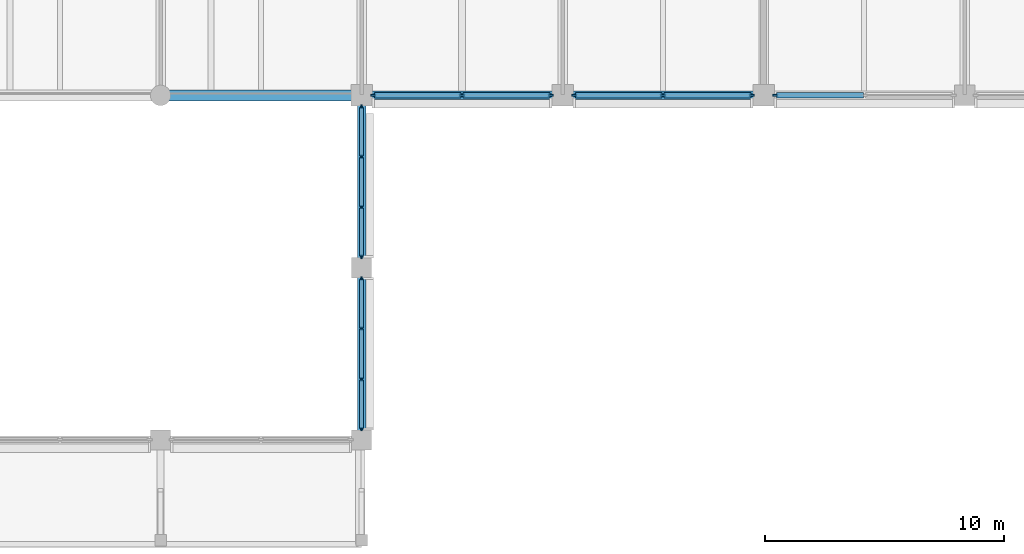
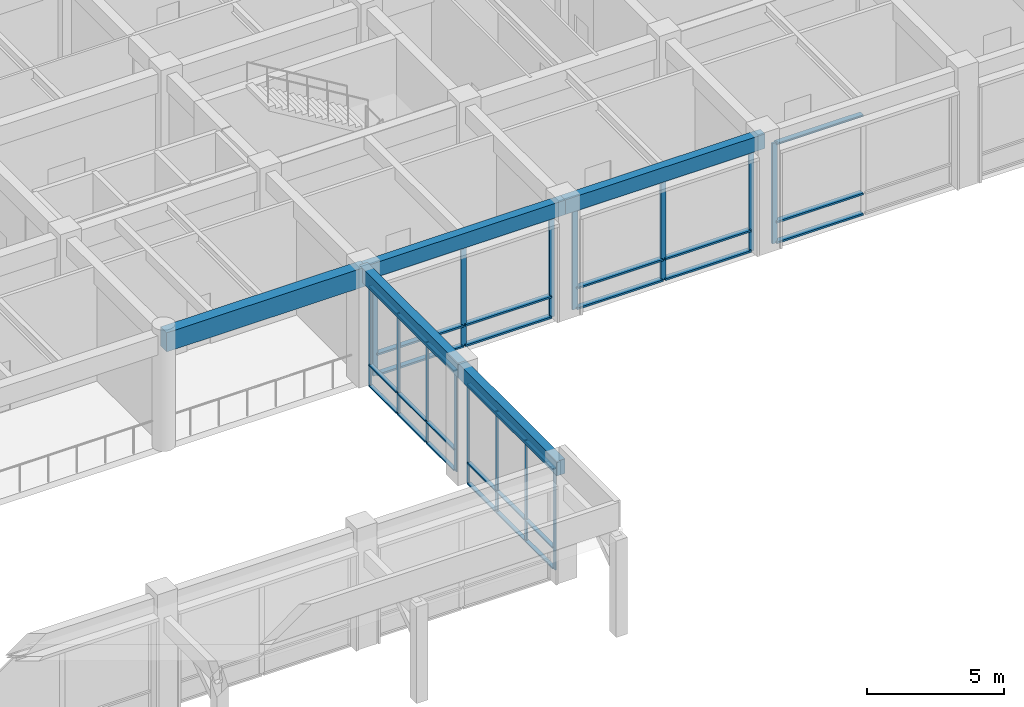
# One storey, part 16 of 68: 48 members, 5 beams, 5 elements without a shape of their own.
"""IFC4 building model written with IfcOpenShell, lengths in metres."""

from ifc_helpers import new_model, si_unit, direction, frame, origin, origin_2d, place, context, subcontext, project, spatial, rectangle, extrude, material, layer, layer_set, material_profile, profile_set, type_object, element, aggregate, save


model = new_model("IFC4")

# Units and contexts
model_context = context("Model", 3, precision=1e-05, world=origin(), true_north=direction((0.0, 1.0)))
body_context = subcontext(model_context, "Body", "Model", "MODEL_VIEW")
ifc_project = project(units=[si_unit("LENGTHUNIT", "METRE"), si_unit("AREAUNIT", "SQUARE_METRE"), si_unit("VOLUMEUNIT", "CUBIC_METRE"), si_unit("PLANEANGLEUNIT", "RADIAN"), si_unit("MASSUNIT", "GRAM", prefix="KILO")], contexts=[model_context])

# Site, building, storey
site_placement = place(None, origin())
site = spatial("IfcSite", under=ifc_project, at=site_placement, CompositionType="ELEMENT")
building_placement = place(site_placement, origin())
building = spatial("IfcBuilding", under=site, at=building_placement, Name="Chengyuan Square Courthouse", CompositionType="ELEMENT")
storey_placement = place(building_placement, frame((0.0, 0.0, 5.39990234375)))
storey = spatial("IfcBuildingStorey", under=building, at=storey_placement, Name="L02", CompositionType="ELEMENT", Elevation=5.39990234375)

# Beams
ifc_material_1 = material(Name="Concrete C40", Category="concrete")
ifc_material_profile_1 = material_profile(ifc_material_1, rectangle(XDim=0.449951171875, YDim=0.85009765625, at=origin_2d()), Name="RC-BM-450x850")
ifc_profile_set_1 = profile_set([ifc_material_profile_1], Name="Concrete C40")
beam_type_1 = type_object("IfcBeamType", Name="BM-01", PredefinedType="USERDEFINED", material=ifc_profile_set_1)
beam_1_placement = place(storey_placement, frame((92.39990234375, 79.199951171875, 4.695068359375), z_axis=(1.0, 0.0, 0.0), x_axis=(0.0, 1.0, 0.0)))
element("IfcBeam", 1, at=beam_1_placement, inside=storey, type_object=beam_type_1, Name="Girder BM-L02-2130", ObjectType="GIRDER", PredefinedType="USERDEFINED", context=body_context, shape_type="SweptSolid", body=[
    extrude(rectangle(XDim=0.449951171875, YDim=0.85009765625, at=origin_2d()), origin(), (0.0, 0.0, 1.0), 8.400146484375),
])
ifc_material_profile_2 = material_profile(ifc_material_1, rectangle(XDim=0.35009765625, YDim=0.64990234375, at=origin_2d()), Name="RC-BM-350x650")
ifc_profile_set_2 = profile_set([ifc_material_profile_2], Name="Concrete C40")
beam_type_2 = type_object("IfcBeamType", Name="BM-03", PredefinedType="SPANDREL", material=ifc_profile_set_2)
beam_2_placement = place(storey_placement, frame((100.800048828125, 79.199951171875, 4.795166015625), z_axis=(1.0, 0.0, 0.0), x_axis=(0.0, 1.0, 0.0)))
element("IfcBeam", 2, at=beam_2_placement, inside=storey, type_object=beam_type_2, Name="Girder BM-L02-2131", PredefinedType="SPANDREL", context=body_context, shape_type="SweptSolid", body=[
    extrude(rectangle(XDim=0.35009765625, YDim=0.64990234375, at=origin_2d()), origin(), (0.0, 0.0, 1.0), 8.39990234375),
])
beam_3_placement = place(storey_placement, frame((109.199951171875, 79.199951171875, 4.795166015625), z_axis=(1.0, 0.0, 0.0), x_axis=(0.0, 1.0, 0.0)))
element("IfcBeam", 3, at=beam_3_placement, inside=storey, type_object=beam_type_2, Name="Girder BM-L02-2132", PredefinedType="SPANDREL", context=body_context, shape_type="SweptSolid", body=[
    extrude(rectangle(XDim=0.35009765625, YDim=0.64990234375, at=origin_2d()), origin(), (0.0, 0.0, 1.0), 8.400146484375),
])
for number, where, z_axis, x_axis, name in (
    (4, (100.800048828125, 64.800048828125, 4.795166015625), (0.0, 1.0, 0.0), (-1.0, 0.0, 0.0), "Girder BM-L02-2316"),
    (5, (100.800048828125, 72.0, 4.795166015625), (0.0, 1.0, 0.0), (-1.0, 0.0, 0.0), "Girder BM-L02-2317"),
):
    element("IfcBeam", number, at=place(storey_placement, frame(where, z_axis=z_axis, x_axis=x_axis)), inside=storey, type_object=beam_type_2, Name=name, PredefinedType="SPANDREL", context=body_context, shape_type="SweptSolid", body=[
        extrude(rectangle(XDim=0.35009765625, YDim=0.64990234375, at=origin_2d()), origin(), (0.0, 0.0, 1.0), 7.199951171875),
    ])

# Curtain wall, members
ifc_material_2 = material(Name="Unitised Aluminium and Triple Low-E Glass", Category="aluminium")
ifc_layer_1 = layer(ifc_material_2, 0.159912109375)
ifc_layer_set_1 = layer_set([ifc_layer_1], Name="Unitised Aluminium and Triple Low-E Glass")
curtain_wall_type_1 = type_object("IfcCurtainWallType", Name="CW-17", PredefinedType="USERDEFINED", material=ifc_layer_set_1)
curtain_wall_1_placement = place(storey_placement, origin())
curtain_wall_1 = element("IfcCurtainWall", 6, at=curtain_wall_1_placement, inside=storey, type_object=curtain_wall_type_1, Name="Unitised Curtain Wall CW-L02-067", ObjectType="UNITISED CURTAIN WALL", PredefinedType="USERDEFINED")
ifc_material_3 = material(Name="Aluminium 6063-T6 Frame", Category="aluminium")
ifc_material_profile_3 = material_profile(ifc_material_3, rectangle(XDim=0.06005859375, YDim=0.159912109375, at=origin_2d()), Name="CW-MUL-60x160")
ifc_profile_set_3 = profile_set([ifc_material_profile_3], Name="Aluminium 6063-T6 Frame")
member_type_1 = type_object("IfcMemberType", Name="CWM-01", PredefinedType="MULLION", material=ifc_profile_set_3)
member_1_placement = place(storey_placement, frame((100.800048828125, 65.2548828125, 0.0), z_axis=(0.0, 0.0, 1.0), x_axis=(-1.0, 0.0, 0.0)))
member_1 = element("IfcMember", 7, at=member_1_placement, type_object=member_type_1, Name="CW-17 mullion 1", PredefinedType="MULLION", context=body_context, shape_type="SweptSolid", body=[
    extrude(rectangle(XDim=0.06005859375, YDim=0.159912109375, at=origin_2d()), origin(), (0.0, 0.0, 1.0), 4.47021484375),
])
member_2_placement = place(storey_placement, frame((100.800048828125, 67.341552734375, 0.0), z_axis=(0.0, 0.0, 1.0), x_axis=(-1.0, 0.0, 0.0)))
member_2 = element("IfcMember", 8, at=member_2_placement, type_object=member_type_1, Name="CW-17 mullion 2", PredefinedType="MULLION", context=body_context, shape_type="SweptSolid", body=[
    extrude(rectangle(XDim=0.06005859375, YDim=0.159912109375, at=origin_2d()), origin(), (0.0, 0.0, 1.0), 4.47021484375),
])
member_3_placement = place(storey_placement, frame((100.800048828125, 69.458251953125, 0.0), z_axis=(0.0, 0.0, 1.0), x_axis=(-1.0, 0.0, 0.0)))
member_3 = element("IfcMember", 9, at=member_3_placement, type_object=member_type_1, Name="CW-17 mullion 3", PredefinedType="MULLION", context=body_context, shape_type="SweptSolid", body=[
    extrude(rectangle(XDim=0.06005859375, YDim=0.159912109375, at=origin_2d()), origin(), (0.0, 0.0, 1.0), 4.47021484375),
])
member_4_placement = place(storey_placement, frame((100.800048828125, 71.544921875, 0.0), z_axis=(0.0, 0.0, 1.0), x_axis=(-1.0, 0.0, 0.0)))
member_4 = element("IfcMember", 10, at=member_4_placement, type_object=member_type_1, Name="CW-17 mullion 4", PredefinedType="MULLION", context=body_context, shape_type="SweptSolid", body=[
    extrude(rectangle(XDim=0.06005859375, YDim=0.159912109375, at=origin_2d()), origin(), (0.0, 0.0, 1.0), 4.47021484375),
])

curtain_wall_2_placement = place(storey_placement, origin())
curtain_wall_2 = element("IfcCurtainWall", 11, at=curtain_wall_2_placement, inside=storey, type_object=curtain_wall_type_1, Name="Unitised Curtain Wall CW-L02-068", ObjectType="UNITISED CURTAIN WALL", PredefinedType="USERDEFINED")
member_5_placement = place(storey_placement, frame((100.800048828125, 72.455078125, 0.0), z_axis=(0.0, 0.0, 1.0), x_axis=(-1.0, 0.0, 0.0)))
member_5 = element("IfcMember", 12, at=member_5_placement, type_object=member_type_1, Name="CW-17 mullion 1", PredefinedType="MULLION", context=body_context, shape_type="SweptSolid", body=[
    extrude(rectangle(XDim=0.06005859375, YDim=0.159912109375, at=origin_2d()), origin(), (0.0, 0.0, 1.0), 4.47021484375),
])
member_6_placement = place(storey_placement, frame((100.800048828125, 74.533447265625, 0.0), z_axis=(0.0, 0.0, 1.0), x_axis=(-1.0, 0.0, 0.0)))
member_6 = element("IfcMember", 13, at=member_6_placement, type_object=member_type_1, Name="CW-17 mullion 2", PredefinedType="MULLION", context=body_context, shape_type="SweptSolid", body=[
    extrude(rectangle(XDim=0.06005859375, YDim=0.159912109375, at=origin_2d()), origin(), (0.0, 0.0, 1.0), 4.47021484375),
])
member_7_placement = place(storey_placement, frame((100.800048828125, 76.6416015625, 0.0), z_axis=(0.0, 0.0, 1.0), x_axis=(-1.0, 0.0, 0.0)))
member_7 = element("IfcMember", 14, at=member_7_placement, type_object=member_type_1, Name="CW-17 mullion 3", PredefinedType="MULLION", context=body_context, shape_type="SweptSolid", body=[
    extrude(rectangle(XDim=0.06005859375, YDim=0.159912109375, at=origin_2d()), origin(), (0.0, 0.0, 1.0), 4.47021484375),
])
member_8_placement = place(storey_placement, frame((100.800048828125, 78.719970703125, 0.0), z_axis=(0.0, 0.0, 1.0), x_axis=(-1.0, 0.0, 0.0)))
member_8 = element("IfcMember", 15, at=member_8_placement, type_object=member_type_1, Name="CW-17 mullion 4", PredefinedType="MULLION", context=body_context, shape_type="SweptSolid", body=[
    extrude(rectangle(XDim=0.06005859375, YDim=0.159912109375, at=origin_2d()), origin(), (0.0, 0.0, 1.0), 4.47021484375),
])

ifc_layer_2 = layer(ifc_material_2, 0.219970703125)
ifc_layer_set_2 = layer_set([ifc_layer_2], Name="Unitised Aluminium and Triple Low-E Glass")
curtain_wall_type_2 = type_object("IfcCurtainWallType", Name="CW-04", PredefinedType="USERDEFINED", material=ifc_layer_set_2)
curtain_wall_3_placement = place(storey_placement, origin())
curtain_wall_3 = element("IfcCurtainWall", 16, at=curtain_wall_3_placement, inside=storey, type_object=curtain_wall_type_2, Name="Unitised Curtain Wall CW-L02-069", ObjectType="UNITISED CURTAIN WALL", PredefinedType="USERDEFINED")
ifc_material_profile_4 = material_profile(ifc_material_3, rectangle(XDim=0.080078125, YDim=0.219970703125, at=origin_2d()), Name="CW-MUL-80x220")
ifc_profile_set_4 = profile_set([ifc_material_profile_4], Name="Aluminium 6063-T6 Frame")
member_type_2 = type_object("IfcMemberType", Name="CWM-04", PredefinedType="MULLION", material=ifc_profile_set_4)
member_9_placement = place(storey_placement, frame((101.2900390625, 79.199951171875, 0.0), z_axis=(0.0, 0.0, 1.0), x_axis=(0.0, 1.0, 0.0)))
member_9 = element("IfcMember", 17, at=member_9_placement, type_object=member_type_2, Name="CW-04 mullion 1", PredefinedType="MULLION", context=body_context, shape_type="SweptSolid", body=[
    extrude(rectangle(XDim=0.080078125, YDim=0.219970703125, at=origin_2d()), origin(), (0.0, 0.0, 1.0), 4.47021484375),
])
member_10_placement = place(storey_placement, frame((105.0, 79.199951171875, 0.0), z_axis=(0.0, 0.0, 1.0), x_axis=(0.0, 1.0, 0.0)))
member_10 = element("IfcMember", 18, at=member_10_placement, type_object=member_type_2, Name="CW-04 mullion 2", PredefinedType="MULLION", context=body_context, shape_type="SweptSolid", body=[
    extrude(rectangle(XDim=0.080078125, YDim=0.219970703125, at=origin_2d()), origin(), (0.0, 0.0, 1.0), 4.47021484375),
])
member_11_placement = place(storey_placement, frame((108.7099609375, 79.199951171875, 0.0), z_axis=(0.0, 0.0, 1.0), x_axis=(0.0, 1.0, 0.0)))
member_11 = element("IfcMember", 19, at=member_11_placement, type_object=member_type_2, Name="CW-04 mullion 3", PredefinedType="MULLION", context=body_context, shape_type="SweptSolid", body=[
    extrude(rectangle(XDim=0.080078125, YDim=0.219970703125, at=origin_2d()), origin(), (0.0, 0.0, 1.0), 4.47021484375),
])

curtain_wall_4_placement = place(storey_placement, origin())
curtain_wall_4 = element("IfcCurtainWall", 20, at=curtain_wall_4_placement, inside=storey, type_object=curtain_wall_type_2, Name="Unitised Curtain Wall CW-L02-070", ObjectType="UNITISED CURTAIN WALL", PredefinedType="USERDEFINED")
member_12_placement = place(storey_placement, frame((109.68994140625, 79.199951171875, 0.0), z_axis=(0.0, 0.0, 1.0), x_axis=(0.0, 1.0, 0.0)))
member_12 = element("IfcMember", 21, at=member_12_placement, type_object=member_type_2, Name="CW-04 mullion 1", PredefinedType="MULLION", context=body_context, shape_type="SweptSolid", body=[
    extrude(rectangle(XDim=0.080078125, YDim=0.219970703125, at=origin_2d()), origin(), (0.0, 0.0, 1.0), 4.47021484375),
])
member_13_placement = place(storey_placement, frame((113.39990234375, 79.199951171875, 0.0), z_axis=(0.0, 0.0, 1.0), x_axis=(0.0, 1.0, 0.0)))
member_13 = element("IfcMember", 22, at=member_13_placement, type_object=member_type_2, Name="CW-04 mullion 2", PredefinedType="MULLION", context=body_context, shape_type="SweptSolid", body=[
    extrude(rectangle(XDim=0.080078125, YDim=0.219970703125, at=origin_2d()), origin(), (0.0, 0.0, 1.0), 4.47021484375),
])
member_14_placement = place(storey_placement, frame((117.110107421875, 79.199951171875, 0.0), z_axis=(0.0, 0.0, 1.0), x_axis=(0.0, 1.0, 0.0)))
member_14 = element("IfcMember", 23, at=member_14_placement, type_object=member_type_2, Name="CW-04 mullion 3", PredefinedType="MULLION", context=body_context, shape_type="SweptSolid", body=[
    extrude(rectangle(XDim=0.080078125, YDim=0.219970703125, at=origin_2d()), origin(), (0.0, 0.0, 1.0), 4.47021484375),
])

# Curtain wall, member
curtain_wall_5_placement = place(storey_placement, origin())
curtain_wall_5 = element("IfcCurtainWall", 24, at=curtain_wall_5_placement, inside=storey, type_object=curtain_wall_type_2, Name="Unitised Curtain Wall CW-L02-071", ObjectType="UNITISED CURTAIN WALL", PredefinedType="USERDEFINED")
member_15_placement = place(storey_placement, frame((118.090087890625, 79.199951171875, 0.0), z_axis=(0.0, 0.0, 1.0), x_axis=(0.0, 1.0, 0.0)))
member_15 = element("IfcMember", 25, at=member_15_placement, type_object=member_type_2, Name="CW-04 mullion 1", PredefinedType="MULLION", context=body_context, shape_type="SweptSolid", body=[
    extrude(rectangle(XDim=0.080078125, YDim=0.219970703125, at=origin_2d()), origin(), (0.0, 0.0, 1.0), 4.47021484375),
])

# Member
ifc_material_profile_5 = material_profile(ifc_material_3, rectangle(XDim=0.159912109375, YDim=0.06005859375, at=origin_2d()), Name="CW-TRN-60x120")
ifc_profile_set_5 = profile_set([ifc_material_profile_5], Name="Aluminium 6063-T6 Frame")
member_type_3 = type_object("IfcMemberType", Name="CWT-01", PredefinedType="USERDEFINED", material=ifc_profile_set_5)
member_16_placement = place(storey_placement, frame((100.800048828125, 65.284912109375, 0.030029296875), z_axis=(0.0, 1.0, 0.0), x_axis=(-1.0, 0.0, 0.0)))
member_16 = element("IfcMember", 26, at=member_16_placement, type_object=member_type_3, Name="CW-17 transom 1.1", ObjectType="TRANSOM", PredefinedType="USERDEFINED", context=body_context, shape_type="SweptSolid", body=[
    extrude(rectangle(XDim=0.159912109375, YDim=0.06005859375, at=origin_2d()), origin(), (0.0, 0.0, 1.0), 2.02685546875),
])

member_17_placement = place(storey_placement, frame((100.800048828125, 65.284912109375, 0.9501953125), z_axis=(0.0, 1.0, 0.0), x_axis=(-1.0, 0.0, 0.0)))
member_17 = element("IfcMember", 27, at=member_17_placement, type_object=member_type_3, Name="CW-17 transom 1.2", ObjectType="TRANSOM", PredefinedType="USERDEFINED", context=body_context, shape_type="SweptSolid", body=[
    extrude(rectangle(XDim=0.159912109375, YDim=0.06005859375, at=origin_2d()), origin(), (0.0, 0.0, 1.0), 2.02685546875),
])

member_18_placement = place(storey_placement, frame((100.800048828125, 65.284912109375, 4.440185546875), z_axis=(0.0, 1.0, 0.0), x_axis=(-1.0, 0.0, 0.0)))
member_18 = element("IfcMember", 28, at=member_18_placement, type_object=member_type_3, Name="CW-17 transom 1.3", ObjectType="TRANSOM", PredefinedType="USERDEFINED", context=body_context, shape_type="SweptSolid", body=[
    extrude(rectangle(XDim=0.159912109375, YDim=0.06005859375, at=origin_2d()), origin(), (0.0, 0.0, 1.0), 2.02685546875),
])

member_19_placement = place(storey_placement, frame((100.800048828125, 67.37158203125, 0.030029296875), z_axis=(0.0, 1.0, 0.0), x_axis=(-1.0, 0.0, 0.0)))
member_19 = element("IfcMember", 29, at=member_19_placement, type_object=member_type_3, Name="CW-17 transom 2.1", ObjectType="TRANSOM", PredefinedType="USERDEFINED", context=body_context, shape_type="SweptSolid", body=[
    extrude(rectangle(XDim=0.159912109375, YDim=0.06005859375, at=origin_2d()), origin(), (0.0, 0.0, 1.0), 2.056640625),
])

member_20_placement = place(storey_placement, frame((100.800048828125, 67.37158203125, 0.9501953125), z_axis=(0.0, 1.0, 0.0), x_axis=(-1.0, 0.0, 0.0)))
member_20 = element("IfcMember", 30, at=member_20_placement, type_object=member_type_3, Name="CW-17 transom 2.2", ObjectType="TRANSOM", PredefinedType="USERDEFINED", context=body_context, shape_type="SweptSolid", body=[
    extrude(rectangle(XDim=0.159912109375, YDim=0.06005859375, at=origin_2d()), origin(), (0.0, 0.0, 1.0), 2.056640625),
])

member_21_placement = place(storey_placement, frame((100.800048828125, 67.37158203125, 4.440185546875), z_axis=(0.0, 1.0, 0.0), x_axis=(-1.0, 0.0, 0.0)))
member_21 = element("IfcMember", 31, at=member_21_placement, type_object=member_type_3, Name="CW-17 transom 2.3", ObjectType="TRANSOM", PredefinedType="USERDEFINED", context=body_context, shape_type="SweptSolid", body=[
    extrude(rectangle(XDim=0.159912109375, YDim=0.06005859375, at=origin_2d()), origin(), (0.0, 0.0, 1.0), 2.056640625),
])

member_22_placement = place(storey_placement, frame((100.800048828125, 69.48828125, 0.030029296875), z_axis=(0.0, 1.0, 0.0), x_axis=(-1.0, 0.0, 0.0)))
member_22 = element("IfcMember", 32, at=member_22_placement, type_object=member_type_3, Name="CW-17 transom 3.1", ObjectType="TRANSOM", PredefinedType="USERDEFINED", context=body_context, shape_type="SweptSolid", body=[
    extrude(rectangle(XDim=0.159912109375, YDim=0.06005859375, at=origin_2d()), origin(), (0.0, 0.0, 1.0), 2.026611328125),
])

member_23_placement = place(storey_placement, frame((100.800048828125, 69.48828125, 0.9501953125), z_axis=(0.0, 1.0, 0.0), x_axis=(-1.0, 0.0, 0.0)))
member_23 = element("IfcMember", 33, at=member_23_placement, type_object=member_type_3, Name="CW-17 transom 3.2", ObjectType="TRANSOM", PredefinedType="USERDEFINED", context=body_context, shape_type="SweptSolid", body=[
    extrude(rectangle(XDim=0.159912109375, YDim=0.06005859375, at=origin_2d()), origin(), (0.0, 0.0, 1.0), 2.026611328125),
])

member_24_placement = place(storey_placement, frame((100.800048828125, 69.48828125, 4.440185546875), z_axis=(0.0, 1.0, 0.0), x_axis=(-1.0, 0.0, 0.0)))
member_24 = element("IfcMember", 34, at=member_24_placement, type_object=member_type_3, Name="CW-17 transom 3.3", ObjectType="TRANSOM", PredefinedType="USERDEFINED", context=body_context, shape_type="SweptSolid", body=[
    extrude(rectangle(XDim=0.159912109375, YDim=0.06005859375, at=origin_2d()), origin(), (0.0, 0.0, 1.0), 2.026611328125),
])

aggregate(curtain_wall_1, [member_1, member_2, member_3, member_4, member_16, member_17, member_18, member_19, member_20, member_21, member_22, member_23, member_24])

member_25_placement = place(storey_placement, frame((100.800048828125, 72.485107421875, 0.030029296875), z_axis=(0.0, 1.0, 0.0), x_axis=(-1.0, 0.0, 0.0)))
member_25 = element("IfcMember", 35, at=member_25_placement, type_object=member_type_3, Name="CW-17 transom 1.1", ObjectType="TRANSOM", PredefinedType="USERDEFINED", context=body_context, shape_type="SweptSolid", body=[
    extrude(rectangle(XDim=0.159912109375, YDim=0.06005859375, at=origin_2d()), origin(), (0.0, 0.0, 1.0), 2.018310546875),
])

member_26_placement = place(storey_placement, frame((100.800048828125, 72.485107421875, 0.9501953125), z_axis=(0.0, 1.0, 0.0), x_axis=(-1.0, 0.0, 0.0)))
member_26 = element("IfcMember", 36, at=member_26_placement, type_object=member_type_3, Name="CW-17 transom 1.2", ObjectType="TRANSOM", PredefinedType="USERDEFINED", context=body_context, shape_type="SweptSolid", body=[
    extrude(rectangle(XDim=0.159912109375, YDim=0.06005859375, at=origin_2d()), origin(), (0.0, 0.0, 1.0), 2.018310546875),
])

member_27_placement = place(storey_placement, frame((100.800048828125, 72.485107421875, 4.440185546875), z_axis=(0.0, 1.0, 0.0), x_axis=(-1.0, 0.0, 0.0)))
member_27 = element("IfcMember", 37, at=member_27_placement, type_object=member_type_3, Name="CW-17 transom 1.3", ObjectType="TRANSOM", PredefinedType="USERDEFINED", context=body_context, shape_type="SweptSolid", body=[
    extrude(rectangle(XDim=0.159912109375, YDim=0.06005859375, at=origin_2d()), origin(), (0.0, 0.0, 1.0), 2.018310546875),
])

member_28_placement = place(storey_placement, frame((100.800048828125, 74.563232421875, 0.030029296875), z_axis=(0.0, 1.0, 0.0), x_axis=(-1.0, 0.0, 0.0)))
member_28 = element("IfcMember", 38, at=member_28_placement, type_object=member_type_3, Name="CW-17 transom 2.1", ObjectType="TRANSOM", PredefinedType="USERDEFINED", context=body_context, shape_type="SweptSolid", body=[
    extrude(rectangle(XDim=0.159912109375, YDim=0.06005859375, at=origin_2d()), origin(), (0.0, 0.0, 1.0), 2.04833984375),
])

member_29_placement = place(storey_placement, frame((100.800048828125, 74.563232421875, 0.9501953125), z_axis=(0.0, 1.0, 0.0), x_axis=(-1.0, 0.0, 0.0)))
member_29 = element("IfcMember", 39, at=member_29_placement, type_object=member_type_3, Name="CW-17 transom 2.2", ObjectType="TRANSOM", PredefinedType="USERDEFINED", context=body_context, shape_type="SweptSolid", body=[
    extrude(rectangle(XDim=0.159912109375, YDim=0.06005859375, at=origin_2d()), origin(), (0.0, 0.0, 1.0), 2.04833984375),
])

member_30_placement = place(storey_placement, frame((100.800048828125, 74.563232421875, 4.440185546875), z_axis=(0.0, 1.0, 0.0), x_axis=(-1.0, 0.0, 0.0)))
member_30 = element("IfcMember", 40, at=member_30_placement, type_object=member_type_3, Name="CW-17 transom 2.3", ObjectType="TRANSOM", PredefinedType="USERDEFINED", context=body_context, shape_type="SweptSolid", body=[
    extrude(rectangle(XDim=0.159912109375, YDim=0.06005859375, at=origin_2d()), origin(), (0.0, 0.0, 1.0), 2.04833984375),
])

member_31_placement = place(storey_placement, frame((100.800048828125, 76.671630859375, 0.030029296875), z_axis=(0.0, 1.0, 0.0), x_axis=(-1.0, 0.0, 0.0)))
member_31 = element("IfcMember", 41, at=member_31_placement, type_object=member_type_3, Name="CW-17 transom 3.1", ObjectType="TRANSOM", PredefinedType="USERDEFINED", context=body_context, shape_type="SweptSolid", body=[
    extrude(rectangle(XDim=0.159912109375, YDim=0.06005859375, at=origin_2d()), origin(), (0.0, 0.0, 1.0), 2.018310546875),
])

member_32_placement = place(storey_placement, frame((100.800048828125, 76.671630859375, 0.9501953125), z_axis=(0.0, 1.0, 0.0), x_axis=(-1.0, 0.0, 0.0)))
member_32 = element("IfcMember", 42, at=member_32_placement, type_object=member_type_3, Name="CW-17 transom 3.2", ObjectType="TRANSOM", PredefinedType="USERDEFINED", context=body_context, shape_type="SweptSolid", body=[
    extrude(rectangle(XDim=0.159912109375, YDim=0.06005859375, at=origin_2d()), origin(), (0.0, 0.0, 1.0), 2.018310546875),
])

member_33_placement = place(storey_placement, frame((100.800048828125, 76.671630859375, 4.440185546875), z_axis=(0.0, 1.0, 0.0), x_axis=(-1.0, 0.0, 0.0)))
member_33 = element("IfcMember", 43, at=member_33_placement, type_object=member_type_3, Name="CW-17 transom 3.3", ObjectType="TRANSOM", PredefinedType="USERDEFINED", context=body_context, shape_type="SweptSolid", body=[
    extrude(rectangle(XDim=0.159912109375, YDim=0.06005859375, at=origin_2d()), origin(), (0.0, 0.0, 1.0), 2.018310546875),
])

aggregate(curtain_wall_2, [member_5, member_6, member_7, member_8, member_25, member_26, member_27, member_28, member_29, member_30, member_31, member_32, member_33])

ifc_material_profile_6 = material_profile(ifc_material_3, rectangle(XDim=0.219970703125, YDim=0.080078125, at=origin_2d()), Name="CW-TRN-80x180")
ifc_profile_set_6 = profile_set([ifc_material_profile_6], Name="Aluminium 6063-T6 Frame")
member_type_4 = type_object("IfcMemberType", Name="CWT-04", PredefinedType="USERDEFINED", material=ifc_profile_set_6)
member_34_placement = place(storey_placement, frame((101.330078125, 79.199951171875, 0.0400390625), z_axis=(1.0, 0.0, 0.0), x_axis=(0.0, 1.0, 0.0)))
member_34 = element("IfcMember", 44, at=member_34_placement, type_object=member_type_4, Name="CW-04 transom 1.1", ObjectType="TRANSOM", PredefinedType="USERDEFINED", context=body_context, shape_type="SweptSolid", body=[
    extrude(rectangle(XDim=0.219970703125, YDim=0.080078125, at=origin_2d()), origin(), (0.0, 0.0, 1.0), 3.6298828125),
])

member_35_placement = place(storey_placement, frame((101.330078125, 79.199951171875, 0.9501953125), z_axis=(1.0, 0.0, 0.0), x_axis=(0.0, 1.0, 0.0)))
member_35 = element("IfcMember", 45, at=member_35_placement, type_object=member_type_4, Name="CW-04 transom 1.2", ObjectType="TRANSOM", PredefinedType="USERDEFINED", context=body_context, shape_type="SweptSolid", body=[
    extrude(rectangle(XDim=0.219970703125, YDim=0.080078125, at=origin_2d()), origin(), (0.0, 0.0, 1.0), 3.6298828125),
])

member_36_placement = place(storey_placement, frame((101.330078125, 79.199951171875, 4.43017578125), z_axis=(1.0, 0.0, 0.0), x_axis=(0.0, 1.0, 0.0)))
member_36 = element("IfcMember", 46, at=member_36_placement, type_object=member_type_4, Name="CW-04 transom 1.3", ObjectType="TRANSOM", PredefinedType="USERDEFINED", context=body_context, shape_type="SweptSolid", body=[
    extrude(rectangle(XDim=0.219970703125, YDim=0.080078125, at=origin_2d()), origin(), (0.0, 0.0, 1.0), 3.6298828125),
])

member_37_placement = place(storey_placement, frame((105.0400390625, 79.199951171875, 0.0400390625), z_axis=(1.0, 0.0, 0.0), x_axis=(0.0, 1.0, 0.0)))
member_37 = element("IfcMember", 47, at=member_37_placement, type_object=member_type_4, Name="CW-04 transom 2.1", ObjectType="TRANSOM", PredefinedType="USERDEFINED", context=body_context, shape_type="SweptSolid", body=[
    extrude(rectangle(XDim=0.219970703125, YDim=0.080078125, at=origin_2d()), origin(), (0.0, 0.0, 1.0), 3.6298828125),
])

member_38_placement = place(storey_placement, frame((105.0400390625, 79.199951171875, 0.9501953125), z_axis=(1.0, 0.0, 0.0), x_axis=(0.0, 1.0, 0.0)))
member_38 = element("IfcMember", 48, at=member_38_placement, type_object=member_type_4, Name="CW-04 transom 2.2", ObjectType="TRANSOM", PredefinedType="USERDEFINED", context=body_context, shape_type="SweptSolid", body=[
    extrude(rectangle(XDim=0.219970703125, YDim=0.080078125, at=origin_2d()), origin(), (0.0, 0.0, 1.0), 3.6298828125),
])

member_39_placement = place(storey_placement, frame((105.0400390625, 79.199951171875, 4.43017578125), z_axis=(1.0, 0.0, 0.0), x_axis=(0.0, 1.0, 0.0)))
member_39 = element("IfcMember", 49, at=member_39_placement, type_object=member_type_4, Name="CW-04 transom 2.3", ObjectType="TRANSOM", PredefinedType="USERDEFINED", context=body_context, shape_type="SweptSolid", body=[
    extrude(rectangle(XDim=0.219970703125, YDim=0.080078125, at=origin_2d()), origin(), (0.0, 0.0, 1.0), 3.6298828125),
])

aggregate(curtain_wall_3, [member_9, member_10, member_11, member_34, member_35, member_36, member_37, member_38, member_39])

member_40_placement = place(storey_placement, frame((109.72998046875, 79.199951171875, 0.0400390625), z_axis=(1.0, 0.0, 0.0), x_axis=(0.0, 1.0, 0.0)))
member_40 = element("IfcMember", 50, at=member_40_placement, type_object=member_type_4, Name="CW-04 transom 1.1", ObjectType="TRANSOM", PredefinedType="USERDEFINED", context=body_context, shape_type="SweptSolid", body=[
    extrude(rectangle(XDim=0.219970703125, YDim=0.080078125, at=origin_2d()), origin(), (0.0, 0.0, 1.0), 3.630126953125),
])

member_41_placement = place(storey_placement, frame((109.72998046875, 79.199951171875, 0.9501953125), z_axis=(1.0, 0.0, 0.0), x_axis=(0.0, 1.0, 0.0)))
member_41 = element("IfcMember", 51, at=member_41_placement, type_object=member_type_4, Name="CW-04 transom 1.2", ObjectType="TRANSOM", PredefinedType="USERDEFINED", context=body_context, shape_type="SweptSolid", body=[
    extrude(rectangle(XDim=0.219970703125, YDim=0.080078125, at=origin_2d()), origin(), (0.0, 0.0, 1.0), 3.630126953125),
])

member_42_placement = place(storey_placement, frame((109.72998046875, 79.199951171875, 4.43017578125), z_axis=(1.0, 0.0, 0.0), x_axis=(0.0, 1.0, 0.0)))
member_42 = element("IfcMember", 52, at=member_42_placement, type_object=member_type_4, Name="CW-04 transom 1.3", ObjectType="TRANSOM", PredefinedType="USERDEFINED", context=body_context, shape_type="SweptSolid", body=[
    extrude(rectangle(XDim=0.219970703125, YDim=0.080078125, at=origin_2d()), origin(), (0.0, 0.0, 1.0), 3.630126953125),
])

member_43_placement = place(storey_placement, frame((113.43994140625, 79.199951171875, 0.0400390625), z_axis=(1.0, 0.0, 0.0), x_axis=(0.0, 1.0, 0.0)))
member_43 = element("IfcMember", 53, at=member_43_placement, type_object=member_type_4, Name="CW-04 transom 2.1", ObjectType="TRANSOM", PredefinedType="USERDEFINED", context=body_context, shape_type="SweptSolid", body=[
    extrude(rectangle(XDim=0.219970703125, YDim=0.080078125, at=origin_2d()), origin(), (0.0, 0.0, 1.0), 3.630126953125),
])

member_44_placement = place(storey_placement, frame((113.43994140625, 79.199951171875, 0.9501953125), z_axis=(1.0, 0.0, 0.0), x_axis=(0.0, 1.0, 0.0)))
member_44 = element("IfcMember", 54, at=member_44_placement, type_object=member_type_4, Name="CW-04 transom 2.2", ObjectType="TRANSOM", PredefinedType="USERDEFINED", context=body_context, shape_type="SweptSolid", body=[
    extrude(rectangle(XDim=0.219970703125, YDim=0.080078125, at=origin_2d()), origin(), (0.0, 0.0, 1.0), 3.630126953125),
])

member_45_placement = place(storey_placement, frame((113.43994140625, 79.199951171875, 4.43017578125), z_axis=(1.0, 0.0, 0.0), x_axis=(0.0, 1.0, 0.0)))
member_45 = element("IfcMember", 55, at=member_45_placement, type_object=member_type_4, Name="CW-04 transom 2.3", ObjectType="TRANSOM", PredefinedType="USERDEFINED", context=body_context, shape_type="SweptSolid", body=[
    extrude(rectangle(XDim=0.219970703125, YDim=0.080078125, at=origin_2d()), origin(), (0.0, 0.0, 1.0), 3.630126953125),
])

aggregate(curtain_wall_4, [member_12, member_13, member_14, member_40, member_41, member_42, member_43, member_44, member_45])

member_46_placement = place(storey_placement, frame((118.1298828125, 79.199951171875, 0.0400390625), z_axis=(1.0, 0.0, 0.0), x_axis=(0.0, 1.0, 0.0)))
member_46 = element("IfcMember", 56, at=member_46_placement, type_object=member_type_4, Name="CW-04 transom 1.1", ObjectType="TRANSOM", PredefinedType="USERDEFINED", context=body_context, shape_type="SweptSolid", body=[
    extrude(rectangle(XDim=0.219970703125, YDim=0.080078125, at=origin_2d()), origin(), (0.0, 0.0, 1.0), 3.642578125),
])

member_47_placement = place(storey_placement, frame((118.1298828125, 79.199951171875, 0.9501953125), z_axis=(1.0, 0.0, 0.0), x_axis=(0.0, 1.0, 0.0)))
member_47 = element("IfcMember", 57, at=member_47_placement, type_object=member_type_4, Name="CW-04 transom 1.2", ObjectType="TRANSOM", PredefinedType="USERDEFINED", context=body_context, shape_type="SweptSolid", body=[
    extrude(rectangle(XDim=0.219970703125, YDim=0.080078125, at=origin_2d()), origin(), (0.0, 0.0, 1.0), 3.642578125),
])

member_48_placement = place(storey_placement, frame((118.1298828125, 79.199951171875, 4.43017578125), z_axis=(1.0, 0.0, 0.0), x_axis=(0.0, 1.0, 0.0)))
member_48 = element("IfcMember", 58, at=member_48_placement, type_object=member_type_4, Name="CW-04 transom 1.3", ObjectType="TRANSOM", PredefinedType="USERDEFINED", context=body_context, shape_type="SweptSolid", body=[
    extrude(rectangle(XDim=0.219970703125, YDim=0.080078125, at=origin_2d()), origin(), (0.0, 0.0, 1.0), 3.642578125),
])

aggregate(curtain_wall_5, [member_15, member_46, member_47, member_48])

save(model, "model.ifc")
